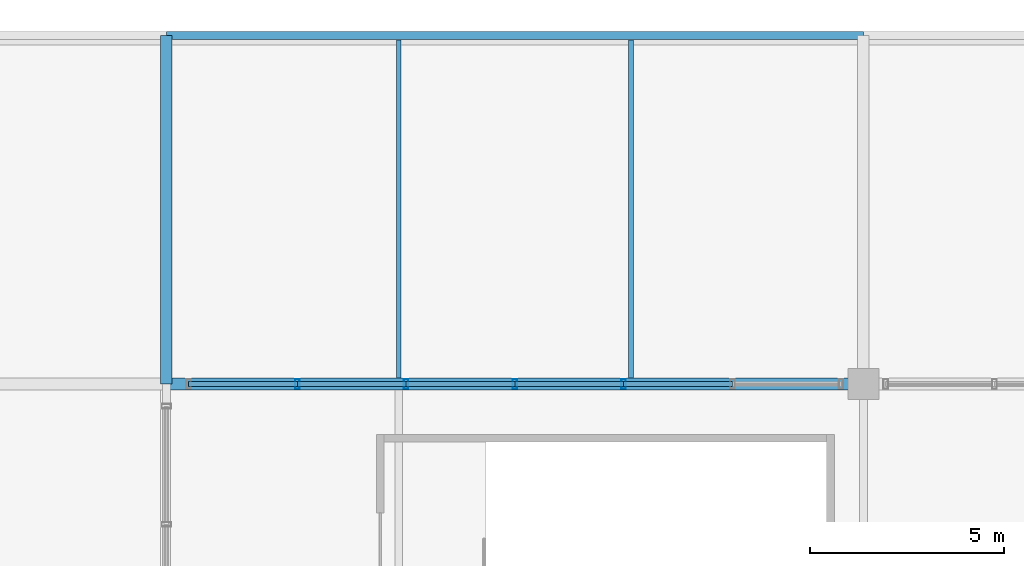
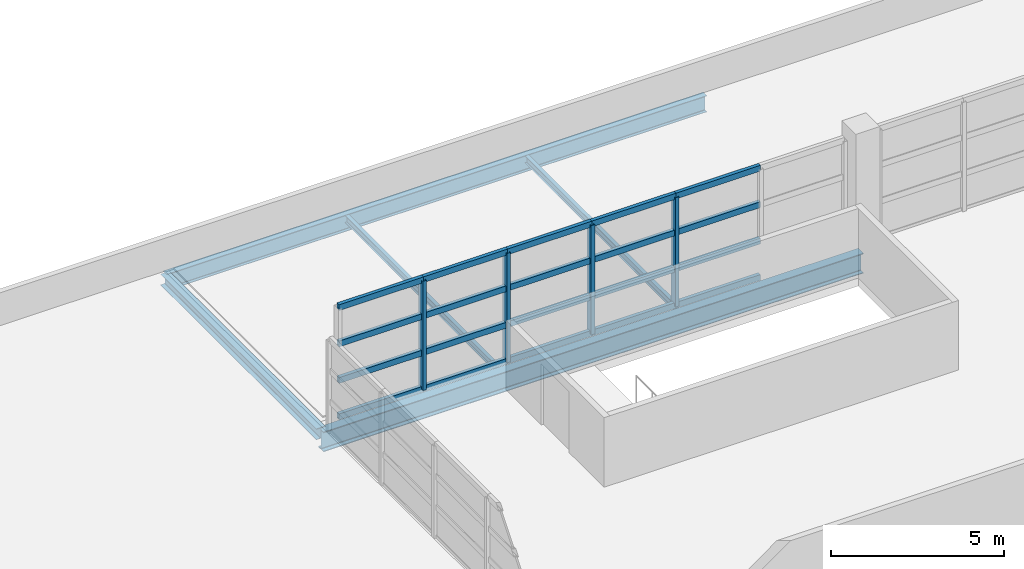
# One storey, part 34 of 136: 24 members, 5 beams, 1 element without a shape of its own.
"""IFC4 building model written with IfcOpenShell, lengths in metres."""

from ifc_helpers import new_model, si_unit, direction, frame, origin, origin_2d, place, context, subcontext, project, spatial, hollow_rectangle, i_section, extrude, material, material_profile, profile_set, type_object, element, aggregate, save


model = new_model("IFC4")

# Units and contexts
model_context = context("Model", 3, precision=1e-05, world=origin(), true_north=direction((0.0, 1.0)))
body_context = subcontext(model_context, "Body", "Model", "MODEL_VIEW")
ifc_project = project(units=[si_unit("LENGTHUNIT", "METRE"), si_unit("AREAUNIT", "SQUARE_METRE"), si_unit("VOLUMEUNIT", "CUBIC_METRE"), si_unit("PLANEANGLEUNIT", "RADIAN"), si_unit("MASSUNIT", "GRAM", prefix="KILO")], contexts=[model_context])

# Site, building, storey
site_placement = place(None, origin())
site = spatial("IfcSite", under=ifc_project, at=site_placement, CompositionType="ELEMENT")
building_placement = place(site_placement, origin())
building = spatial("IfcBuilding", under=site, at=building_placement, Name="Chuanluo Vaults Station", CompositionType="ELEMENT")
storey_placement = place(building_placement, frame((0.0, 0.0, 6.60009765625)))
storey = spatial("IfcBuildingStorey", under=building, at=storey_placement, Name="L01", CompositionType="ELEMENT", Elevation=6.60009765625)

# Beams
ifc_material_1 = material(Name="Steel Q355C", Category="steel")
ifc_material_profile_1 = material_profile(ifc_material_1, i_section(OverallWidth=0.300048828125, OverallDepth=0.389892578125, WebThickness=0.010009765625, FlangeThickness=0.01611328125, FilletRadius=0.02001953125, at=origin_2d()))
ifc_profile_set_1 = profile_set([ifc_material_profile_1], Name="Steel Q355C")
beam_type_1 = type_object("IfcBeamType", Name="BM-GRD-400", PredefinedType="BEAM", material=ifc_profile_set_1)
beam_1_placement = place(storey_placement, frame((18.0, 117.0, -0.400146484375), z_axis=(0.0, 1.0, 0.0), x_axis=(-1.0, 0.0, 0.0)))
element("IfcBeam", 1, at=beam_1_placement, inside=storey, type_object=beam_type_1, Name="Floor girder BM:GY:L01:0418", PredefinedType="BEAM", context=body_context, shape_type="SweptSolid", body=[
    extrude(i_section(OverallWidth=0.300048828125, OverallDepth=0.389892578125, WebThickness=0.010009765625, FlangeThickness=0.01611328125, FilletRadius=0.02001953125, at=origin_2d()), origin(), (0.0, 0.0, 1.0), 9.0),
])
ifc_material_2 = material(Name="Steel Q355C", Category="steel")
ifc_material_profile_2 = material_profile(ifc_material_2, i_section(OverallWidth=0.300048828125, OverallDepth=0.699951171875, WebThickness=0.012939453125, FlangeThickness=0.02392578125, FilletRadius=0.02197265625, at=origin_2d()))
ifc_profile_set_2 = profile_set([ifc_material_profile_2], Name="Steel Q355C")
beam_type_2 = type_object("IfcBeamType", Name="BM-GRD-700", PredefinedType="USERDEFINED", material=ifc_profile_set_2)
beam_2_placement = place(storey_placement, frame((18.0, 117.0, -0.630126953125), z_axis=(1.0, 0.0, 0.0), x_axis=(0.0, 1.0, 0.0)))
element("IfcBeam", 2, at=beam_2_placement, inside=storey, type_object=beam_type_2, Name="Floor girder BM:GX:L01:0378", ObjectType="GIRDER", PredefinedType="USERDEFINED", context=body_context, shape_type="SweptSolid", body=[
    extrude(i_section(OverallWidth=0.300048828125, OverallDepth=0.699951171875, WebThickness=0.012939453125, FlangeThickness=0.02392578125, FilletRadius=0.02197265625, at=origin_2d()), origin(), (0.0, 0.0, 1.0), 18.0),
])
ifc_material_3 = material(Name="Steel Q355C", Category="steel")
ifc_material_profile_3 = material_profile(ifc_material_3, i_section(OverallWidth=0.125, OverallDepth=0.25, WebThickness=0.006103515625, FlangeThickness=0.009033203125, FilletRadius=0.011962890625, at=origin_2d()))
ifc_profile_set_3 = profile_set([ifc_material_profile_3], Name="Steel Q355C")
beam_type_3 = type_object("IfcBeamType", Name="BM-SEC-250", PredefinedType="JOIST", material=ifc_profile_set_3)
for number, where, z_axis, x_axis, name in (
    (3, (24.0, 117.155029296875, -0.330078125), (0.0, 1.0, 0.0), (-1.0, 0.0, 0.0), "Composite secondary joist 0116"),
    (4, (30.0, 117.155029296875, -0.330078125), (0.0, 1.0, 0.0), (-1.0, 0.0, 0.0), "Composite secondary joist 0117"),
):
    element("IfcBeam", number, at=place(storey_placement, frame(where, z_axis=z_axis, x_axis=x_axis)), inside=storey, type_object=beam_type_3, Name=name, PredefinedType="JOIST", context=body_context, shape_type="SweptSolid", body=[
        extrude(i_section(OverallWidth=0.125, OverallDepth=0.25, WebThickness=0.006103515625, FlangeThickness=0.009033203125, FilletRadius=0.011962890625, at=origin_2d()), origin(), (0.0, 0.0, 1.0), 8.73486328125),
    ])
ifc_material_4 = material(Name="Steel Q355C", Category="steel")
ifc_material_profile_4 = material_profile(ifc_material_4, i_section(OverallWidth=0.2099609375, OverallDepth=0.580078125, WebThickness=0.010986328125, FlangeThickness=0.01708984375, FilletRadius=0.01806640625, at=origin_2d()))
ifc_profile_set_4 = profile_set([ifc_material_profile_4], Name="Steel Q355C")
beam_type_4 = type_object("IfcBeamType", Name="BM-SPN-600", PredefinedType="SPANDREL", material=ifc_profile_set_4)
beam_3_placement = place(storey_placement, frame((18.0, 126.0, -0.4951171875), z_axis=(1.0, 0.0, 0.0), x_axis=(0.0, 1.0, 0.0)))
element("IfcBeam", 5, at=beam_3_placement, inside=storey, type_object=beam_type_4, Name="Floor girder BM:GX:L01:0392", PredefinedType="SPANDREL", context=body_context, shape_type="SweptSolid", body=[
    extrude(i_section(OverallWidth=0.2099609375, OverallDepth=0.580078125, WebThickness=0.010986328125, FlangeThickness=0.01708984375, FilletRadius=0.01806640625, at=origin_2d()), origin(), (0.0, 0.0, 1.0), 18.0),
])

# Curtain wall, members
ifc_material_5 = material(Name="Anodised aluminium 6063-T6", Category="aluminium")
curtain_wall_type = type_object("IfcCurtainWallType", Name="CW-SYS-07", PredefinedType="NOTDEFINED", material=ifc_material_5)
curtain_wall_placement = place(storey_placement, origin())
curtain_wall = element("IfcCurtainWall", 6, at=curtain_wall_placement, inside=storey, type_object=curtain_wall_type, Name="Over-track V2 north facade CW", PredefinedType="NOTDEFINED")
ifc_material_6 = material(Name="Anodised aluminium 6063-T6", Category="aluminium")
ifc_material_profile_5 = material_profile(ifc_material_6, hollow_rectangle(XDim=0.1201171875, YDim=0.25, WallThickness=0.006103515625, at=origin_2d()))
ifc_profile_set_5 = profile_set([ifc_material_profile_5], Name="Anodised aluminium 6063-T6")
member_type_1 = type_object("IfcMemberType", Name="CWM-160", PredefinedType="MULLION", material=ifc_profile_set_5)
member_1_placement = place(storey_placement, frame((21.38330078125, 117.0, 0.0), z_axis=(0.0, 0.0, 1.0), x_axis=(1.0, 0.0, 0.0)))
member_1 = element("IfcMember", 7, at=member_1_placement, type_object=member_type_1, Name="Over-track V2 north facade CW mullion 2", PredefinedType="MULLION", context=body_context, shape_type="SweptSolid", body=[
    extrude(hollow_rectangle(XDim=0.1201171875, YDim=0.25, WallThickness=0.006103515625, at=origin_2d()), origin(), (0.0, 0.0, 1.0), 3.849853515625),
])
member_2_placement = place(storey_placement, frame((24.191650390625, 117.0, 0.0), z_axis=(0.0, 0.0, 1.0), x_axis=(1.0, 0.0, 0.0)))
member_2 = element("IfcMember", 8, at=member_2_placement, type_object=member_type_1, Name="Over-track V2 north facade CW mullion 3", PredefinedType="MULLION", context=body_context, shape_type="SweptSolid", body=[
    extrude(hollow_rectangle(XDim=0.1201171875, YDim=0.25, WallThickness=0.006103515625, at=origin_2d()), origin(), (0.0, 0.0, 1.0), 3.849853515625),
])
member_3_placement = place(storey_placement, frame((27.0, 117.0, 0.0), z_axis=(0.0, 0.0, 1.0), x_axis=(1.0, 0.0, 0.0)))
member_3 = element("IfcMember", 9, at=member_3_placement, type_object=member_type_1, Name="Over-track V2 north facade CW mullion 4", PredefinedType="MULLION", context=body_context, shape_type="SweptSolid", body=[
    extrude(hollow_rectangle(XDim=0.1201171875, YDim=0.25, WallThickness=0.006103515625, at=origin_2d()), origin(), (0.0, 0.0, 1.0), 3.849853515625),
])
member_4_placement = place(storey_placement, frame((29.808349609375, 117.0, 0.0), z_axis=(0.0, 0.0, 1.0), x_axis=(1.0, 0.0, 0.0)))
member_4 = element("IfcMember", 10, at=member_4_placement, type_object=member_type_1, Name="Over-track V2 north facade CW mullion 5", PredefinedType="MULLION", context=body_context, shape_type="SweptSolid", body=[
    extrude(hollow_rectangle(XDim=0.1201171875, YDim=0.25, WallThickness=0.006103515625, at=origin_2d()), origin(), (0.0, 0.0, 1.0), 3.849853515625),
])
ifc_material_7 = material(Name="Anodised aluminium 6063-T6", Category="aluminium")
ifc_material_profile_6 = material_profile(ifc_material_7, hollow_rectangle(XDim=0.1201171875, YDim=0.205078125, WallThickness=0.006103515625, at=origin_2d()))
ifc_profile_set_6 = profile_set([ifc_material_profile_6], Name="Anodised aluminium 6063-T6")
member_type_2 = type_object("IfcMemberType", Name="CWT-130", PredefinedType="USERDEFINED", material=ifc_profile_set_6)
member_5_placement = place(storey_placement, frame((18.574951171875, 117.0, 0.0), z_axis=(1.0, 0.0, 0.0), x_axis=(0.0, 1.0, 0.0)))
member_5 = element("IfcMember", 11, at=member_5_placement, type_object=member_type_2, Name="Over-track V2 north facade CW transom 1.1", ObjectType="TRANSOM", PredefinedType="USERDEFINED", context=body_context, shape_type="SweptSolid", body=[
    extrude(hollow_rectangle(XDim=0.1201171875, YDim=0.205078125, WallThickness=0.006103515625, at=origin_2d()), origin(), (0.0, 0.0, 1.0), 2.808349609375),
])
member_6_placement = place(storey_placement, frame((18.574951171875, 117.0, 1.283203125), z_axis=(1.0, 0.0, 0.0), x_axis=(0.0, 1.0, 0.0)))
member_6 = element("IfcMember", 12, at=member_6_placement, type_object=member_type_2, Name="Over-track V2 north facade CW transom 1.2", ObjectType="TRANSOM", PredefinedType="USERDEFINED", context=body_context, shape_type="SweptSolid", body=[
    extrude(hollow_rectangle(XDim=0.1201171875, YDim=0.205078125, WallThickness=0.006103515625, at=origin_2d()), origin(), (0.0, 0.0, 1.0), 2.808349609375),
])
member_7_placement = place(storey_placement, frame((18.574951171875, 117.0, 2.566650390625), z_axis=(1.0, 0.0, 0.0), x_axis=(0.0, 1.0, 0.0)))
member_7 = element("IfcMember", 13, at=member_7_placement, type_object=member_type_2, Name="Over-track V2 north facade CW transom 1.3", ObjectType="TRANSOM", PredefinedType="USERDEFINED", context=body_context, shape_type="SweptSolid", body=[
    extrude(hollow_rectangle(XDim=0.1201171875, YDim=0.205078125, WallThickness=0.006103515625, at=origin_2d()), origin(), (0.0, 0.0, 1.0), 2.808349609375),
])
member_8_placement = place(storey_placement, frame((18.574951171875, 117.0, 3.849853515625), z_axis=(1.0, 0.0, 0.0), x_axis=(0.0, 1.0, 0.0)))
member_8 = element("IfcMember", 14, at=member_8_placement, type_object=member_type_2, Name="Over-track V2 north facade CW transom 1.4", ObjectType="TRANSOM", PredefinedType="USERDEFINED", context=body_context, shape_type="SweptSolid", body=[
    extrude(hollow_rectangle(XDim=0.1201171875, YDim=0.205078125, WallThickness=0.006103515625, at=origin_2d()), origin(), (0.0, 0.0, 1.0), 2.808349609375),
])
member_9_placement = place(storey_placement, frame((21.38330078125, 117.0, 0.0), z_axis=(1.0, 0.0, 0.0), x_axis=(0.0, 1.0, 0.0)))
member_9 = element("IfcMember", 15, at=member_9_placement, type_object=member_type_2, Name="Over-track V2 north facade CW transom 2.1", ObjectType="TRANSOM", PredefinedType="USERDEFINED", context=body_context, shape_type="SweptSolid", body=[
    extrude(hollow_rectangle(XDim=0.1201171875, YDim=0.205078125, WallThickness=0.006103515625, at=origin_2d()), origin(), (0.0, 0.0, 1.0), 2.808349609375),
])
member_10_placement = place(storey_placement, frame((21.38330078125, 117.0, 1.283203125), z_axis=(1.0, 0.0, 0.0), x_axis=(0.0, 1.0, 0.0)))
member_10 = element("IfcMember", 16, at=member_10_placement, type_object=member_type_2, Name="Over-track V2 north facade CW transom 2.2", ObjectType="TRANSOM", PredefinedType="USERDEFINED", context=body_context, shape_type="SweptSolid", body=[
    extrude(hollow_rectangle(XDim=0.1201171875, YDim=0.205078125, WallThickness=0.006103515625, at=origin_2d()), origin(), (0.0, 0.0, 1.0), 2.808349609375),
])
member_11_placement = place(storey_placement, frame((21.38330078125, 117.0, 2.566650390625), z_axis=(1.0, 0.0, 0.0), x_axis=(0.0, 1.0, 0.0)))
member_11 = element("IfcMember", 17, at=member_11_placement, type_object=member_type_2, Name="Over-track V2 north facade CW transom 2.3", ObjectType="TRANSOM", PredefinedType="USERDEFINED", context=body_context, shape_type="SweptSolid", body=[
    extrude(hollow_rectangle(XDim=0.1201171875, YDim=0.205078125, WallThickness=0.006103515625, at=origin_2d()), origin(), (0.0, 0.0, 1.0), 2.808349609375),
])
member_12_placement = place(storey_placement, frame((21.38330078125, 117.0, 3.849853515625), z_axis=(1.0, 0.0, 0.0), x_axis=(0.0, 1.0, 0.0)))
member_12 = element("IfcMember", 18, at=member_12_placement, type_object=member_type_2, Name="Over-track V2 north facade CW transom 2.4", ObjectType="TRANSOM", PredefinedType="USERDEFINED", context=body_context, shape_type="SweptSolid", body=[
    extrude(hollow_rectangle(XDim=0.1201171875, YDim=0.205078125, WallThickness=0.006103515625, at=origin_2d()), origin(), (0.0, 0.0, 1.0), 2.808349609375),
])
member_13_placement = place(storey_placement, frame((24.191650390625, 117.0, 0.0), z_axis=(1.0, 0.0, 0.0), x_axis=(0.0, 1.0, 0.0)))
member_13 = element("IfcMember", 19, at=member_13_placement, type_object=member_type_2, Name="Over-track V2 north facade CW transom 3.1", ObjectType="TRANSOM", PredefinedType="USERDEFINED", context=body_context, shape_type="SweptSolid", body=[
    extrude(hollow_rectangle(XDim=0.1201171875, YDim=0.205078125, WallThickness=0.006103515625, at=origin_2d()), origin(), (0.0, 0.0, 1.0), 2.808349609375),
])
member_14_placement = place(storey_placement, frame((24.191650390625, 117.0, 1.283203125), z_axis=(1.0, 0.0, 0.0), x_axis=(0.0, 1.0, 0.0)))
member_14 = element("IfcMember", 20, at=member_14_placement, type_object=member_type_2, Name="Over-track V2 north facade CW transom 3.2", ObjectType="TRANSOM", PredefinedType="USERDEFINED", context=body_context, shape_type="SweptSolid", body=[
    extrude(hollow_rectangle(XDim=0.1201171875, YDim=0.205078125, WallThickness=0.006103515625, at=origin_2d()), origin(), (0.0, 0.0, 1.0), 2.808349609375),
])
member_15_placement = place(storey_placement, frame((24.191650390625, 117.0, 2.566650390625), z_axis=(1.0, 0.0, 0.0), x_axis=(0.0, 1.0, 0.0)))
member_15 = element("IfcMember", 21, at=member_15_placement, type_object=member_type_2, Name="Over-track V2 north facade CW transom 3.3", ObjectType="TRANSOM", PredefinedType="USERDEFINED", context=body_context, shape_type="SweptSolid", body=[
    extrude(hollow_rectangle(XDim=0.1201171875, YDim=0.205078125, WallThickness=0.006103515625, at=origin_2d()), origin(), (0.0, 0.0, 1.0), 2.808349609375),
])
member_16_placement = place(storey_placement, frame((24.191650390625, 117.0, 3.849853515625), z_axis=(1.0, 0.0, 0.0), x_axis=(0.0, 1.0, 0.0)))
member_16 = element("IfcMember", 22, at=member_16_placement, type_object=member_type_2, Name="Over-track V2 north facade CW transom 3.4", ObjectType="TRANSOM", PredefinedType="USERDEFINED", context=body_context, shape_type="SweptSolid", body=[
    extrude(hollow_rectangle(XDim=0.1201171875, YDim=0.205078125, WallThickness=0.006103515625, at=origin_2d()), origin(), (0.0, 0.0, 1.0), 2.808349609375),
])
member_17_placement = place(storey_placement, frame((27.0, 117.0, 0.0), z_axis=(1.0, 0.0, 0.0), x_axis=(0.0, 1.0, 0.0)))
member_17 = element("IfcMember", 23, at=member_17_placement, type_object=member_type_2, Name="Over-track V2 north facade CW transom 4.1", ObjectType="TRANSOM", PredefinedType="USERDEFINED", context=body_context, shape_type="SweptSolid", body=[
    extrude(hollow_rectangle(XDim=0.1201171875, YDim=0.205078125, WallThickness=0.006103515625, at=origin_2d()), origin(), (0.0, 0.0, 1.0), 2.808349609375),
])
member_18_placement = place(storey_placement, frame((27.0, 117.0, 1.283203125), z_axis=(1.0, 0.0, 0.0), x_axis=(0.0, 1.0, 0.0)))
member_18 = element("IfcMember", 24, at=member_18_placement, type_object=member_type_2, Name="Over-track V2 north facade CW transom 4.2", ObjectType="TRANSOM", PredefinedType="USERDEFINED", context=body_context, shape_type="SweptSolid", body=[
    extrude(hollow_rectangle(XDim=0.1201171875, YDim=0.205078125, WallThickness=0.006103515625, at=origin_2d()), origin(), (0.0, 0.0, 1.0), 2.808349609375),
])
member_19_placement = place(storey_placement, frame((27.0, 117.0, 2.566650390625), z_axis=(1.0, 0.0, 0.0), x_axis=(0.0, 1.0, 0.0)))
member_19 = element("IfcMember", 25, at=member_19_placement, type_object=member_type_2, Name="Over-track V2 north facade CW transom 4.3", ObjectType="TRANSOM", PredefinedType="USERDEFINED", context=body_context, shape_type="SweptSolid", body=[
    extrude(hollow_rectangle(XDim=0.1201171875, YDim=0.205078125, WallThickness=0.006103515625, at=origin_2d()), origin(), (0.0, 0.0, 1.0), 2.808349609375),
])
member_20_placement = place(storey_placement, frame((27.0, 117.0, 3.849853515625), z_axis=(1.0, 0.0, 0.0), x_axis=(0.0, 1.0, 0.0)))
member_20 = element("IfcMember", 26, at=member_20_placement, type_object=member_type_2, Name="Over-track V2 north facade CW transom 4.4", ObjectType="TRANSOM", PredefinedType="USERDEFINED", context=body_context, shape_type="SweptSolid", body=[
    extrude(hollow_rectangle(XDim=0.1201171875, YDim=0.205078125, WallThickness=0.006103515625, at=origin_2d()), origin(), (0.0, 0.0, 1.0), 2.808349609375),
])
member_21_placement = place(storey_placement, frame((29.808349609375, 117.0, 0.0), z_axis=(1.0, 0.0, 0.0), x_axis=(0.0, 1.0, 0.0)))
member_21 = element("IfcMember", 27, at=member_21_placement, type_object=member_type_2, Name="Over-track V2 north facade CW transom 5.1", ObjectType="TRANSOM", PredefinedType="USERDEFINED", context=body_context, shape_type="SweptSolid", body=[
    extrude(hollow_rectangle(XDim=0.1201171875, YDim=0.205078125, WallThickness=0.006103515625, at=origin_2d()), origin(), (0.0, 0.0, 1.0), 2.808349609375),
])
member_22_placement = place(storey_placement, frame((29.808349609375, 117.0, 1.283203125), z_axis=(1.0, 0.0, 0.0), x_axis=(0.0, 1.0, 0.0)))
member_22 = element("IfcMember", 28, at=member_22_placement, type_object=member_type_2, Name="Over-track V2 north facade CW transom 5.2", ObjectType="TRANSOM", PredefinedType="USERDEFINED", context=body_context, shape_type="SweptSolid", body=[
    extrude(hollow_rectangle(XDim=0.1201171875, YDim=0.205078125, WallThickness=0.006103515625, at=origin_2d()), origin(), (0.0, 0.0, 1.0), 2.808349609375),
])
member_23_placement = place(storey_placement, frame((29.808349609375, 117.0, 2.566650390625), z_axis=(1.0, 0.0, 0.0), x_axis=(0.0, 1.0, 0.0)))
member_23 = element("IfcMember", 29, at=member_23_placement, type_object=member_type_2, Name="Over-track V2 north facade CW transom 5.3", ObjectType="TRANSOM", PredefinedType="USERDEFINED", context=body_context, shape_type="SweptSolid", body=[
    extrude(hollow_rectangle(XDim=0.1201171875, YDim=0.205078125, WallThickness=0.006103515625, at=origin_2d()), origin(), (0.0, 0.0, 1.0), 2.808349609375),
])
member_24_placement = place(storey_placement, frame((29.808349609375, 117.0, 3.849853515625), z_axis=(1.0, 0.0, 0.0), x_axis=(0.0, 1.0, 0.0)))
member_24 = element("IfcMember", 30, at=member_24_placement, type_object=member_type_2, Name="Over-track V2 north facade CW transom 5.4", ObjectType="TRANSOM", PredefinedType="USERDEFINED", context=body_context, shape_type="SweptSolid", body=[
    extrude(hollow_rectangle(XDim=0.1201171875, YDim=0.205078125, WallThickness=0.006103515625, at=origin_2d()), origin(), (0.0, 0.0, 1.0), 2.808349609375),
])
aggregate(curtain_wall, [member_1, member_2, member_3, member_4, member_5, member_6, member_7, member_8, member_9, member_10, member_11, member_12, member_13, member_14, member_15, member_16, member_17, member_18, member_19, member_20, member_21, member_22, member_23, member_24])

save(model, "model.ifc")
